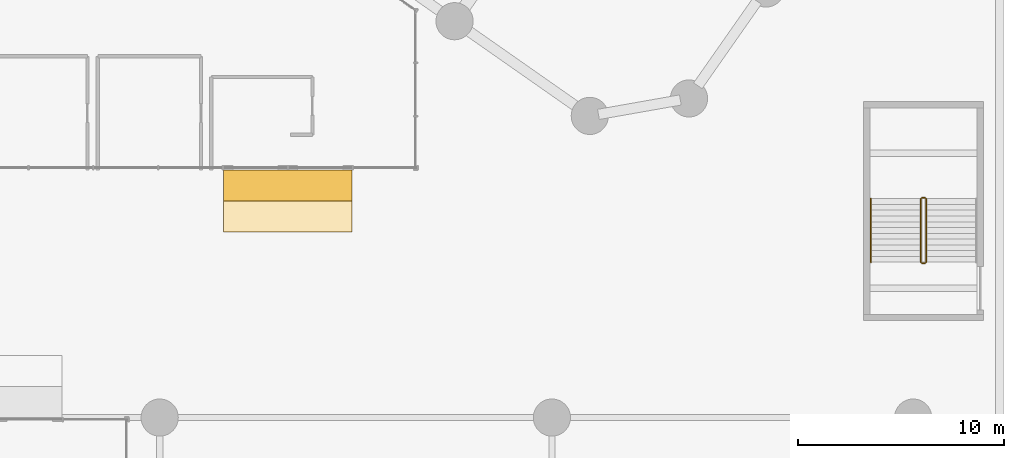
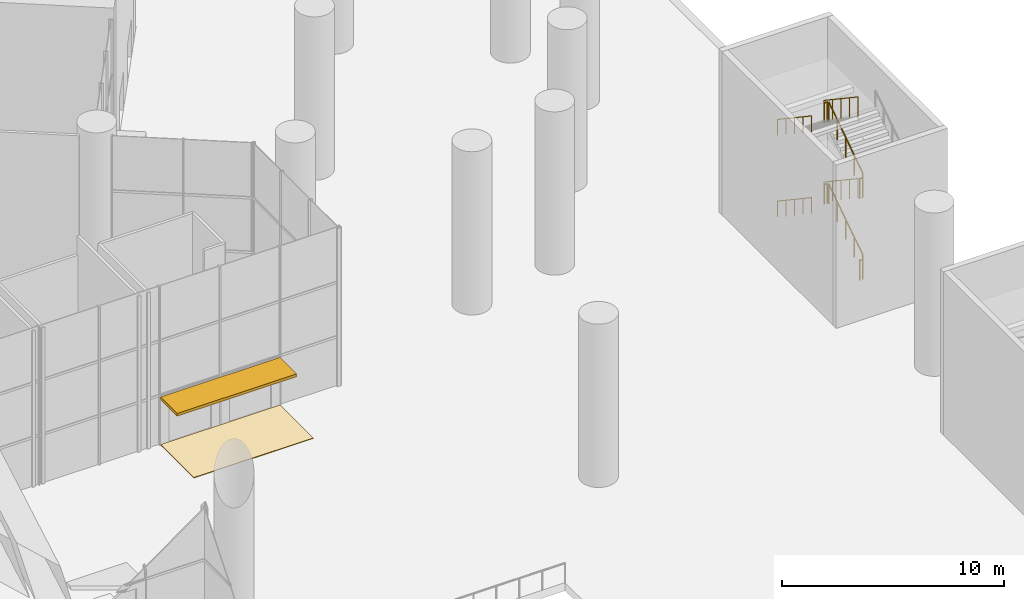
# One storey, part 33 of 37: 10 railings, 1 covering, 1 shading device.
"""IFC4 building model written with IfcOpenShell, lengths in metres."""

from ifc_helpers import new_model, si_unit, direction, frame, origin, origin_2d, place, context, subcontext, project, spatial, polyline, rectangle, circle, outline, extrude, material, layer, layer_set, type_object, element, save


model = new_model("IFC4")

# Units and contexts
model_context = context("Model", 3, precision=1e-05, world=origin(), true_north=direction((0.0, 1.0)))
body_context = subcontext(model_context, "Body", "Model", "MODEL_VIEW")
ifc_project = project(units=[si_unit("LENGTHUNIT", "METRE"), si_unit("AREAUNIT", "SQUARE_METRE"), si_unit("VOLUMEUNIT", "CUBIC_METRE"), si_unit("PLANEANGLEUNIT", "RADIAN"), si_unit("MASSUNIT", "GRAM", prefix="KILO")], contexts=[model_context])

# Site, building, storey
site_placement = place(None, origin())
site = spatial("IfcSite", under=ifc_project, at=site_placement, CompositionType="ELEMENT")
building_placement = place(site_placement, origin())
building = spatial("IfcBuilding", under=site, at=building_placement, Name="Tel Ilan Convention Tower", CompositionType="ELEMENT")
storey_placement = place(building_placement, origin())
storey = spatial("IfcBuildingStorey", under=building, at=storey_placement, Name="L00", CompositionType="ELEMENT", Elevation=0.0)

# Shading device
ifc_material_1 = material(Name="Aluminium composite, bronze anodised", Category="aluminium")
ifc_layer_1 = layer(ifc_material_1, 0.14990234375)
ifc_layer_set_1 = layer_set([ifc_layer_1], Name="ENTRANCE CANOPY 150")
shading_device_type = type_object("IfcShadingDeviceType", Name="ENTRANCE CANOPY 150", PredefinedType="AWNING", material=ifc_layer_set_1)
shading_device_placement = place(storey_placement, frame((15.71435546875, -36.75, 2.5), z_axis=(0.0, 0.0, 1.0), x_axis=(-1.0, 0.0, 0.0)))
element("IfcShadingDevice", 1, at=shading_device_placement, inside=storey, type_object=shading_device_type, Name="Entrance canopy", PredefinedType="AWNING", context=body_context, shape_type="SweptSolid", body=[
    extrude(rectangle(XDim=6.225830078125, YDim=1.5, at=origin_2d()), origin(), (0.0, 0.0, 1.0), 0.14990234375),
])

# Covering
ifc_material_2 = material(Name="Flamed granite flooring, grey", Category="masonry")
ifc_layer_2 = layer(ifc_material_2, 0.030029296875)
ifc_layer_set_2 = layer_set([ifc_layer_2], Name="ENTRANCE STONE FLOORING 30")
covering_type = type_object("IfcCoveringType", Name="ENTRANCE STONE FLOORING 30", PredefinedType="FLOORING", material=ifc_layer_set_2)
covering_placement = place(storey_placement, origin())
element("IfcCovering", 2, at=covering_placement, inside=storey, type_object=covering_type, Name="Entrance flooring", PredefinedType="FLOORING", context=body_context, shape_type="SweptSolid", body=[
    extrude(outline(polyline([(18.8271484375, -39.0), (12.601318359375, -39.0), (12.601318359375, -36.0), (18.8271484375, -36.0), (18.8271484375, -39.0)])), origin(), (0.0, 0.0, 1.0), 0.030029296875),
])

# Railings
ifc_material_3 = material(Name="Stainless Steel Grade 316", Category="steel")
railing_type_1 = type_object("IfcRailingType", Name="Stainless Steel Stair Guard 1100 mm", PredefinedType="GUARDRAIL", material=ifc_material_3)
railing_1_placement = place(storey_placement, frame((46.625, -40.47509765625, 0.1875)))
element("IfcRailing", 3, at=railing_1_placement, inside=storey, type_object=railing_type_1, Name="L00 P8 stair guard 1", PredefinedType="GUARDRAIL", context=body_context, shape_type="SweptSolid", body=[
    extrude(circle(Radius=0.02392578125, at=origin_2d()), frame((0.0, 0.0, 1.076171875), z_axis=(0.0, 0.830913701846, 0.55640131208), x_axis=(-1.0, 0.0, 0.0)), (0.0, 0.0, 1.0), 3.706787109375),
    extrude(circle(Radius=0.02099609375, at=origin_2d()), origin(), (0.0, 0.0, 1.0), 1.052001953125),
    extrude(circle(Radius=0.02099609375, at=origin_2d()), frame((0.0, 0.77001953125, 0.515625)), (0.0, 0.0, 1.0), 1.052001953125),
    extrude(circle(Radius=0.02099609375, at=origin_2d()), frame((0.0, 1.5400390625, 1.03125)), (0.0, 0.0, 1.0), 1.052001953125),
    extrude(circle(Radius=0.02099609375, at=origin_2d()), frame((0.0, 2.31005859375, 1.546875)), (0.0, 0.0, 1.0), 1.052001953125),
    extrude(circle(Radius=0.02099609375, at=origin_2d()), frame((0.0, 3.080078125, 2.0625)), (0.0, 0.0, 1.0), 1.052001953125),
])
railing_2_placement = place(storey_placement, frame((46.574951171875, -37.344970703125, 2.25)))
element("IfcRailing", 4, at=railing_2_placement, inside=storey, type_object=railing_type_1, Name="L00 P8 stair guard 2", PredefinedType="GUARDRAIL", context=body_context, shape_type="SweptSolid", body=[
    extrude(circle(Radius=0.02392578125, at=origin_2d()), frame((0.0, 0.0, 1.076171875), z_axis=(-1.0, 0.0, 0.0), x_axis=(0.0, -1.0, 0.0)), (0.0, 0.0, 1.0), 0.14990234375),
    extrude(circle(Radius=0.02099609375, at=origin_2d()), origin(), (0.0, 0.0, 1.0), 1.052001953125),
    extrude(circle(Radius=0.02099609375, at=origin_2d()), frame((-0.14990234375, 0.0, 0.0)), (0.0, 0.0, 1.0), 1.052001953125),
])
railing_3_placement = place(storey_placement, frame((46.375, -37.39501953125, 2.4375)))
element("IfcRailing", 5, at=railing_3_placement, inside=storey, type_object=railing_type_1, Name="L00 P8 stair guard 3", PredefinedType="GUARDRAIL", context=body_context, shape_type="SweptSolid", body=[
    extrude(circle(Radius=0.02392578125, at=origin_2d()), frame((0.0, 0.0, 1.076171875), z_axis=(0.0, -0.830913701846, 0.55640131208), x_axis=(1.0, 0.0, 0.0)), (0.0, 0.0, 1.0), 3.706787109375),
    extrude(circle(Radius=0.02099609375, at=origin_2d()), origin(), (0.0, 0.0, 1.0), 1.052001953125),
    extrude(circle(Radius=0.02099609375, at=origin_2d()), frame((0.0, -0.77001953125, 0.515625)), (0.0, 0.0, 1.0), 1.052001953125),
    extrude(circle(Radius=0.02099609375, at=origin_2d()), frame((0.0, -1.5400390625, 1.03125)), (0.0, 0.0, 1.0), 1.052001953125),
    extrude(circle(Radius=0.02099609375, at=origin_2d()), frame((0.0, -2.31005859375, 1.546875)), (0.0, 0.0, 1.0), 1.052001953125),
    extrude(circle(Radius=0.02099609375, at=origin_2d()), frame((0.0, -3.080078125, 2.0625)), (0.0, 0.0, 1.0), 1.052001953125),
])
railing_4_placement = place(storey_placement, frame((46.574951171875, -40.52490234375, 4.5)))
element("IfcRailing", 6, at=railing_4_placement, inside=storey, type_object=railing_type_1, Name="L00 P8 stair guard 4", PredefinedType="GUARDRAIL", context=body_context, shape_type="SweptSolid", body=[
    extrude(circle(Radius=0.02392578125, at=origin_2d()), frame((0.0, 0.0, 1.076171875), z_axis=(-1.0, 0.0, 0.0), x_axis=(0.0, -1.0, 0.0)), (0.0, 0.0, 1.0), 0.14990234375),
    extrude(circle(Radius=0.02099609375, at=origin_2d()), origin(), (0.0, 0.0, 1.0), 1.052001953125),
    extrude(circle(Radius=0.02099609375, at=origin_2d()), frame((-0.14990234375, 0.0, 0.0)), (0.0, 0.0, 1.0), 1.052001953125),
])
railing_5_placement = place(storey_placement, frame((46.625, -40.47509765625, 4.6875)))
element("IfcRailing", 7, at=railing_5_placement, inside=storey, type_object=railing_type_1, Name="L00 P8 stair guard 5", PredefinedType="GUARDRAIL", context=body_context, shape_type="SweptSolid", body=[
    extrude(circle(Radius=0.02392578125, at=origin_2d()), frame((0.0, 0.0, 1.076171875), z_axis=(0.0, 0.830913701846, 0.55640131208), x_axis=(-1.0, 0.0, 0.0)), (0.0, 0.0, 1.0), 3.706787109375),
    extrude(circle(Radius=0.02099609375, at=origin_2d()), origin(), (0.0, 0.0, 1.0), 1.052001953125),
    extrude(circle(Radius=0.02099609375, at=origin_2d()), frame((0.0, 0.77001953125, 0.515625)), (0.0, 0.0, 1.0), 1.052001953125),
    extrude(circle(Radius=0.02099609375, at=origin_2d()), frame((0.0, 1.5400390625, 1.03125)), (0.0, 0.0, 1.0), 1.052001953125),
    extrude(circle(Radius=0.02099609375, at=origin_2d()), frame((0.0, 2.31005859375, 1.546875)), (0.0, 0.0, 1.0), 1.052001953125),
    extrude(circle(Radius=0.02099609375, at=origin_2d()), frame((0.0, 3.080078125, 2.0625)), (0.0, 0.0, 1.0), 1.052001953125),
])
railing_6_placement = place(storey_placement, frame((46.574951171875, -37.344970703125, 6.75)))
element("IfcRailing", 8, at=railing_6_placement, inside=storey, type_object=railing_type_1, Name="L00 P8 stair guard 6", PredefinedType="GUARDRAIL", context=body_context, shape_type="SweptSolid", body=[
    extrude(circle(Radius=0.02392578125, at=origin_2d()), frame((0.0, 0.0, 1.076171875), z_axis=(-1.0, 0.0, 0.0), x_axis=(0.0, -1.0, 0.0)), (0.0, 0.0, 1.0), 0.14990234375),
    extrude(circle(Radius=0.02099609375, at=origin_2d()), origin(), (0.0, 0.0, 1.0), 1.052001953125),
    extrude(circle(Radius=0.02099609375, at=origin_2d()), frame((-0.14990234375, 0.0, 0.0)), (0.0, 0.0, 1.0), 1.052001953125),
])
railing_7_placement = place(storey_placement, frame((46.375, -37.39501953125, 6.9375)))
element("IfcRailing", 9, at=railing_7_placement, inside=storey, type_object=railing_type_1, Name="L00 P8 stair guard 7", PredefinedType="GUARDRAIL", context=body_context, shape_type="SweptSolid", body=[
    extrude(circle(Radius=0.02392578125, at=origin_2d()), frame((0.0, 0.0, 1.076171875), z_axis=(0.0, -0.830913701846, 0.55640131208), x_axis=(1.0, 0.0, 0.0)), (0.0, 0.0, 1.0), 3.706787109375),
    extrude(circle(Radius=0.02099609375, at=origin_2d()), origin(), (0.0, 0.0, 1.0), 1.052001953125),
    extrude(circle(Radius=0.02099609375, at=origin_2d()), frame((0.0, -0.77001953125, 0.515625)), (0.0, 0.0, 1.0), 1.052001953125),
    extrude(circle(Radius=0.02099609375, at=origin_2d()), frame((0.0, -1.5400390625, 1.03125)), (0.0, 0.0, 1.0), 1.052001953125),
    extrude(circle(Radius=0.02099609375, at=origin_2d()), frame((0.0, -2.31005859375, 1.546875)), (0.0, 0.0, 1.0), 1.052001953125),
    extrude(circle(Radius=0.02099609375, at=origin_2d()), frame((0.0, -3.080078125, 2.0625)), (0.0, 0.0, 1.0), 1.052001953125),
])
railing_8_placement = place(storey_placement, frame((46.574951171875, -40.52490234375, 0.0)))
element("IfcRailing", 10, at=railing_8_placement, inside=storey, type_object=railing_type_1, Name="L00 P8 stair guard 8", PredefinedType="GUARDRAIL", context=body_context, shape_type="SweptSolid", body=[
    extrude(circle(Radius=0.02392578125, at=origin_2d()), frame((0.0, 0.0, 1.076171875), z_axis=(-1.0, 0.0, 0.0), x_axis=(0.0, -1.0, 0.0)), (0.0, 0.0, 1.0), 0.14990234375),
    extrude(circle(Radius=0.02099609375, at=origin_2d()), origin(), (0.0, 0.0, 1.0), 1.052001953125),
    extrude(circle(Radius=0.02099609375, at=origin_2d()), frame((-0.14990234375, 0.0, 0.0)), (0.0, 0.0, 1.0), 1.052001953125),
])
ifc_material_4 = material(Name="Stainless Steel Grade 316", Category="steel")
railing_type_2 = type_object("IfcRailingType", Name="Stainless Steel Stair Handrail 900 mm", PredefinedType="HANDRAIL", material=ifc_material_4)
for number, where, name in (
    (11, (43.949951171875, -37.39501953125, 2.4375), "L00 P8 stair handrail 2"),
    (12, (43.949951171875, -37.39501953125, 6.9375), "L00 P8 stair handrail 4"),
):
    element("IfcRailing", number, at=place(storey_placement, frame(where)), inside=storey, type_object=railing_type_2, Name=name, PredefinedType="HANDRAIL", context=body_context, shape_type="SweptSolid", body=[
        extrude(circle(Radius=0.02392578125, at=origin_2d()), frame((0.0, 0.0, 0.8759765625), z_axis=(0.0, -0.830913701846, 0.55640131208), x_axis=(1.0, 0.0, 0.0)), (0.0, 0.0, 1.0), 3.706787109375),
        extrude(circle(Radius=0.02099609375, at=origin_2d()), origin(), (0.0, 0.0, 1.0), 0.851806640625),
        extrude(circle(Radius=0.02099609375, at=origin_2d()), frame((0.0, -0.77001953125, 0.515625)), (0.0, 0.0, 1.0), 0.851806640625),
        extrude(circle(Radius=0.02099609375, at=origin_2d()), frame((0.0, -1.5400390625, 1.03125)), (0.0, 0.0, 1.0), 0.851806640625),
        extrude(circle(Radius=0.02099609375, at=origin_2d()), frame((0.0, -2.31005859375, 1.546875)), (0.0, 0.0, 1.0), 0.851806640625),
        extrude(circle(Radius=0.02099609375, at=origin_2d()), frame((0.0, -3.080078125, 2.0625)), (0.0, 0.0, 1.0), 0.851806640625),
    ])

save(model, "model.ifc")
